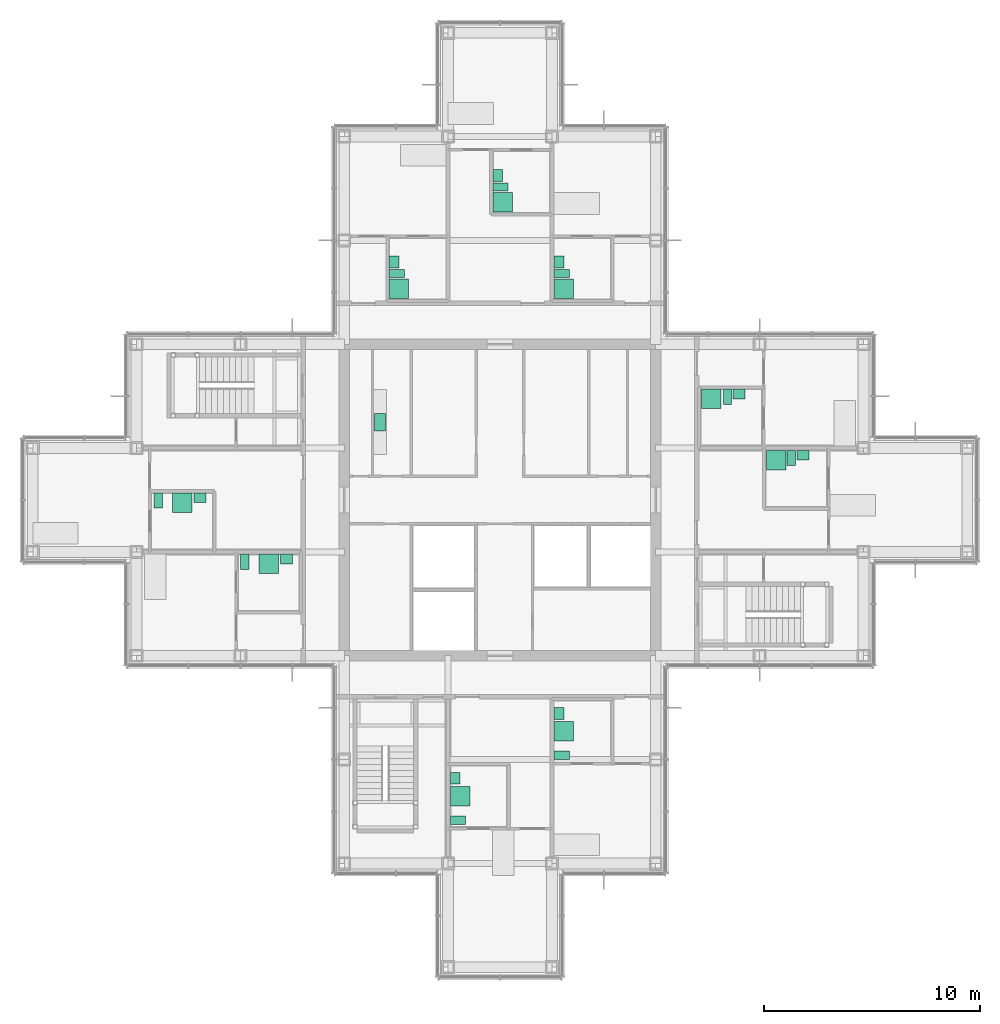
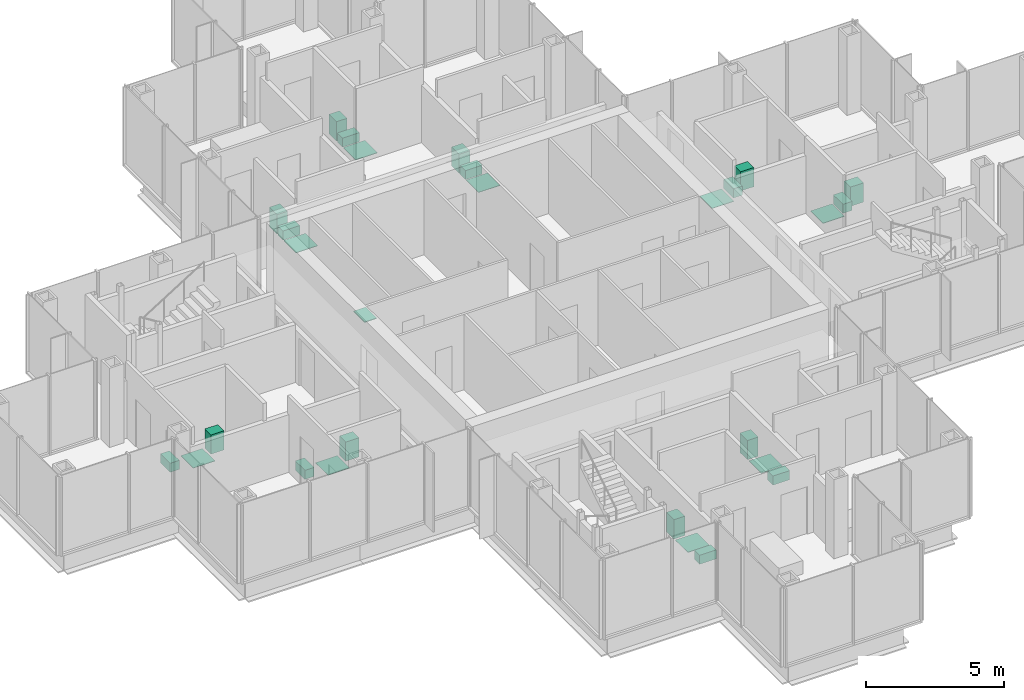
# One storey, part 16 of 17: 28 sanitary terminals.
"""IFC4 building model written with IfcOpenShell, lengths in metres."""

from ifc_helpers import new_model, si_unit, direction, frame, origin, origin_2d, place, context, subcontext, project, spatial, rectangle, extrude, material, type_object, element, save


model = new_model("IFC4")

# Units and contexts
model_context = context("Model", 3, precision=1e-05, world=origin(), true_north=direction((0.0, 1.0)))
body_context = subcontext(model_context, "Body", "Model", "MODEL_VIEW")
ifc_project = project(units=[si_unit("LENGTHUNIT", "METRE"), si_unit("AREAUNIT", "SQUARE_METRE"), si_unit("VOLUMEUNIT", "CUBIC_METRE"), si_unit("PLANEANGLEUNIT", "RADIAN"), si_unit("MASSUNIT", "GRAM", prefix="KILO")], contexts=[model_context])

# Site, building, storey
site_placement = place(None, origin())
site = spatial("IfcSite", under=ifc_project, at=site_placement, CompositionType="ELEMENT")
building_placement = place(site_placement, origin())
building = spatial("IfcBuilding", under=site, at=building_placement, Name="Kvirike Care Tower", CompositionType="ELEMENT")
storey_placement = place(building_placement, frame((0.0, 0.0, 179.5)))
storey = spatial("IfcBuildingStorey", under=building, at=storey_placement, Name="L49", CompositionType="ELEMENT", Elevation=179.5)

# Sanitary terminals
ifc_material_1 = material(Name="Stainless steel", Category="steel")
sanitary_terminal_type_1 = type_object("IfcSanitaryTerminalType", Name="KITCHEN SINK 800 x 500", PredefinedType="SINK", material=ifc_material_1)
sanitary_terminal_placement = place(storey_placement, frame((16.052001953125, 39.60009765625, 0.89990234375), z_axis=(0.0, 0.0, 1.0), x_axis=(0.0, 1.0, 0.0)))
element("IfcSanitaryTerminal", 1, at=sanitary_terminal_placement, inside=storey, type_object=sanitary_terminal_type_1, Name="Kitchen sink L49-046", PredefinedType="SINK", context=body_context, shape_type="SweptSolid", body=[
    extrude(rectangle(XDim=0.800048828125, YDim=0.5, at=origin_2d()), origin(), (0.0, 0.0, 1.0), 0.030029296875),
])
ifc_material_2 = material(Name="Stainless steel", Category="steel")
sanitary_terminal_type_2 = type_object("IfcSanitaryTerminalType", Name="LEVEL-ACCESS SHOWER 900 x 900", PredefinedType="SHOWER", material=ifc_material_2)
for number, where, z_axis, x_axis, name in (
    (2, (6.909912109375, 35.873046875, 0.02001953125), (0.0, 0.0, 1.0), (1.0, 0.0, 0.0), "Level-access shower L49-006"),
    (3, (10.909912109375, 33.048095703125, 0.02001953125), (0.0, 0.0, 1.0), (1.0, 0.0, 0.0), "Level-access shower L49-009"),
    (4, (19.751953125, 22.31005859375, 0.02001953125), (0.0, 0.0, 1.0), (0.0, 1.0, 0.0), "Level-access shower L49-015"),
    (5, (24.552001953125, 25.31005859375, 0.02001953125), (0.0, 0.0, 1.0), (0.0, 1.0, 0.0), "Level-access shower L49-018"),
    (6, (24.552001953125, 45.77490234375, 0.02001953125), (0.0, 0.0, 1.0), (0.0, 1.0, 0.0), "Level-access shower L49-022"),
    (7, (21.72705078125, 49.77490234375, 0.02001953125), (0.0, 0.0, 1.0), (0.0, 1.0, 0.0), "Level-access shower L49-025"),
    (8, (16.927001953125, 45.77490234375, 0.02001953125), (0.0, 0.0, 1.0), (0.0, 1.0, 0.0), "Level-access shower L49-028"),
    (9, (34.375, 37.847900390625, 0.02001953125), (0.0, 0.0, 1.0), (1.0, 0.0, 0.0), "Level-access shower L49-035"),
    (10, (31.375, 40.673095703125, 0.02001953125), (0.0, 0.0, 1.0), (1.0, 0.0, 0.0), "Level-access shower L49-038"),
):
    element("IfcSanitaryTerminal", number, at=place(storey_placement, frame(where, z_axis=z_axis, x_axis=x_axis)), inside=storey, type_object=sanitary_terminal_type_2, Name=name, PredefinedType="SHOWER", context=body_context, shape_type="SweptSolid", body=[
        extrude(rectangle(XDim=0.89990234375, YDim=0.89990234375, at=origin_2d()), origin(), (0.0, 0.0, 1.0), 0.02001953125),
    ])
ifc_material_3 = material(Name="Vitreous china", Category="ceramic")
sanitary_terminal_type_3 = type_object("IfcSanitaryTerminalType", Name="WASH BASIN 550 x 450", PredefinedType="WASHHANDBASIN", material=ifc_material_3)
for number, where, z_axis, x_axis, name in (
    (11, (7.735107421875, 36.097900390625, 0.02001953125), (0.0, 0.0, 1.0), (1.0, 0.0, 0.0), "Wash basin L49-006"),
    (12, (11.735107421875, 33.27294921875, 0.02001953125), (0.0, 0.0, 1.0), (1.0, 0.0, 0.0), "Wash basin L49-009"),
    (13, (19.527099609375, 23.135009765625, 0.02001953125), (0.0, 0.0, 1.0), (0.0, 1.0, 0.0), "Wash basin L49-015"),
    (14, (24.326904296875, 26.135009765625, 0.02001953125), (0.0, 0.0, 1.0), (0.0, 1.0, 0.0), "Wash basin L49-018"),
    (15, (24.326904296875, 47.0, 0.02001953125), (0.0, 0.0, 1.0), (0.0, 1.0, 0.0), "Wash basin L49-022"),
    (16, (21.501953125, 51.0, 0.02001953125), (0.0, 0.0, 1.0), (0.0, 1.0, 0.0), "Wash basin L49-025"),
    (17, (16.701904296875, 47.0, 0.02001953125), (0.0, 0.0, 1.0), (0.0, 1.0, 0.0), "Wash basin L49-028"),
    (18, (35.60009765625, 38.072998046875, 0.02001953125), (0.0, 0.0, 1.0), (1.0, 0.0, 0.0), "Wash basin L49-035"),
    (19, (32.64990234375, 40.89794921875, 0.02001953125), (0.0, 0.0, 1.0), (1.0, 0.0, 0.0), "Wash basin L49-038"),
):
    element("IfcSanitaryTerminal", number, at=place(storey_placement, frame(where, z_axis=z_axis, x_axis=x_axis)), inside=storey, type_object=sanitary_terminal_type_3, Name=name, PredefinedType="WASHHANDBASIN", context=body_context, shape_type="SweptSolid", body=[
        extrude(rectangle(XDim=0.550048828125, YDim=0.449951171875, at=origin_2d()), origin(), (0.0, 0.0, 1.0), 0.85009765625),
    ])
ifc_material_4 = material(Name="Vitreous china", Category="ceramic")
sanitary_terminal_type_4 = type_object("IfcSanitaryTerminalType", Name="WC PAN 380 x 700", PredefinedType="TOILETPAN", material=ifc_material_4)
for number, where, z_axis, x_axis, name in (
    (20, (5.800048828125, 35.972900390625, 0.02001953125), (0.0, 0.0, 1.0), (1.0, 0.0, 0.0), "WC pan L49-006"),
    (21, (9.800048828125, 33.14794921875, 0.02001953125), (0.0, 0.0, 1.0), (1.0, 0.0, 0.0), "WC pan L49-009"),
    (22, (19.652099609375, 21.199951171875, 0.02001953125), (0.0, 0.0, 1.0), (0.0, 1.0, 0.0), "WC pan L49-015"),
    (23, (24.451904296875, 24.199951171875, 0.02001953125), (0.0, 0.0, 1.0), (0.0, 1.0, 0.0), "WC pan L49-018"),
    (24, (24.451904296875, 46.465087890625, 0.02001953125), (0.0, 0.0, 1.0), (0.0, 1.0, 0.0), "WC pan L49-022"),
    (25, (21.626953125, 50.465087890625, 0.02001953125), (0.0, 0.0, 1.0), (0.0, 1.0, 0.0), "WC pan L49-025"),
    (26, (16.826904296875, 46.465087890625, 0.02001953125), (0.0, 0.0, 1.0), (0.0, 1.0, 0.0), "WC pan L49-028"),
    (27, (35.06494140625, 37.947998046875, 0.02001953125), (0.0, 0.0, 1.0), (1.0, 0.0, 0.0), "WC pan L49-035"),
    (28, (32.114990234375, 40.77294921875, 0.02001953125), (0.0, 0.0, 1.0), (1.0, 0.0, 0.0), "WC pan L49-038"),
):
    element("IfcSanitaryTerminal", number, at=place(storey_placement, frame(where, z_axis=z_axis, x_axis=x_axis)), inside=storey, type_object=sanitary_terminal_type_4, Name=name, PredefinedType="TOILETPAN", context=body_context, shape_type="SweptSolid", body=[
        extrude(rectangle(XDim=0.3798828125, YDim=0.699951171875, at=origin_2d()), origin(), (0.0, 0.0, 1.0), 0.39990234375),
    ])

save(model, "model.ifc")
